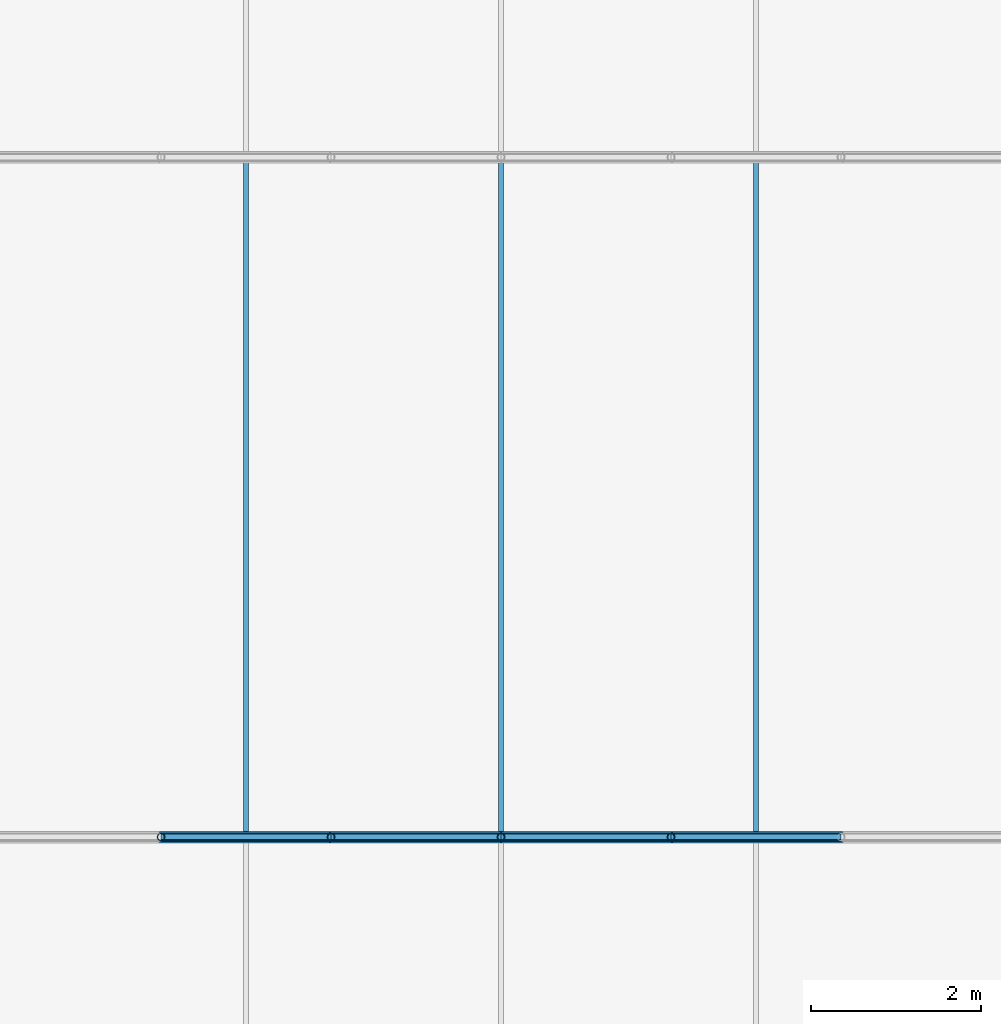
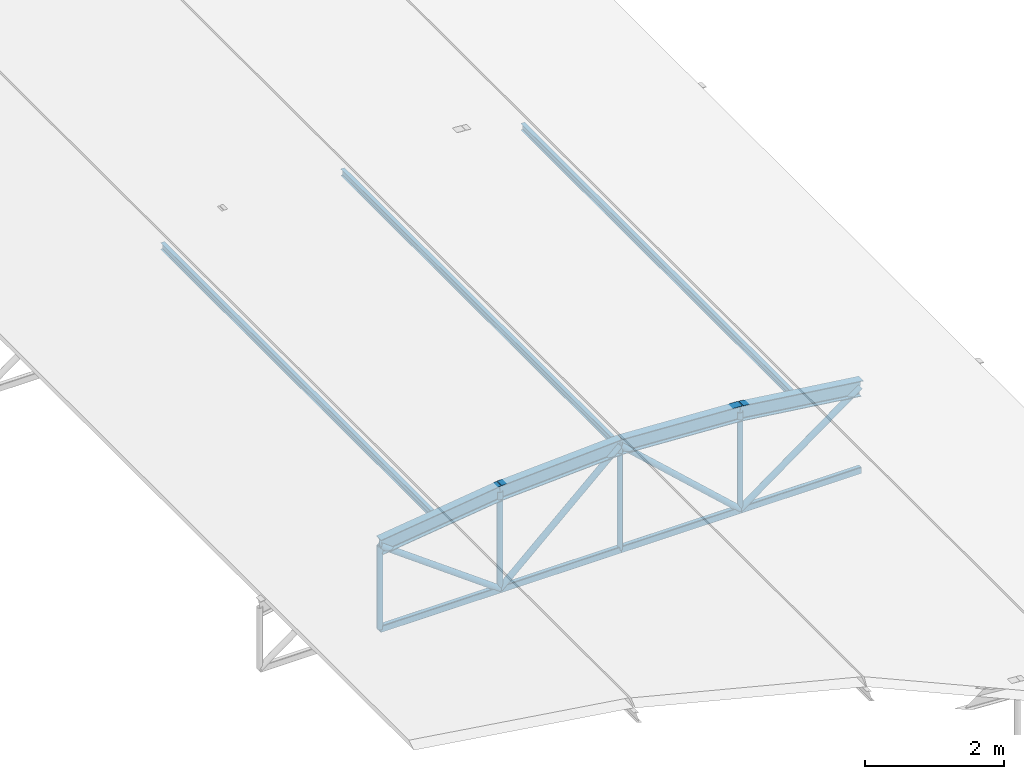
# One storey, part 25 of 54: 19 members.
"""IFC4 building model written with IfcOpenShell, lengths in metres."""

import ifcopenshell
import ifcopenshell.guid

model = None  # the IFC model being written
_history = None  # IfcOwnerHistory: only IFC2X3 demands one
_inside = {}  # id of a spatial element -> (the spatial element, [elements in it])
_under = {}  # id of a project, library or spatial element -> (it, [spatial elements below it])
_declared = {}  # id of a project -> (the project, [libraries it declares])
_typed = {}  # id of a type object -> (the type object, [elements of that type])
_made_of = {}  # id of a material, layer set ... -> (it, [elements and type objects made of it])


def new_model(schema):
    """Start an empty IFC model of exactly this schema.

    Asked for "IFC4X3", IfcOpenShell would pick the latest addendum, in which some entities
    have other attributes; the version numbers below select the first issue.
    IFC2X3 requires an IfcOwnerHistory on every rooted entity: one is made here for all.
    """
    global model, _history
    if schema == "IFC4X3":
        model = ifcopenshell.file(schema_version=(4, 3, 0, 0))
    else:
        model = ifcopenshell.file(schema=schema)
    _inside.clear()
    _under.clear()
    _declared.clear()
    _typed.clear()
    _made_of.clear()
    _history = None
    if model.schema == "IFC2X3":
        org = make("IfcOrganization", Name="unknown")
        user = make(
            "IfcPersonAndOrganization",
            ThePerson=make("IfcPerson", FamilyName="unknown"),
            TheOrganization=org,
        )
        app = make(
            "IfcApplication",
            ApplicationDeveloper=org,
            Version="unknown",
            ApplicationFullName="unknown",
            ApplicationIdentifier="unknown",
        )
        _history = make(
            "IfcOwnerHistory",
            OwningUser=user,
            OwningApplication=app,
            ChangeAction="ADDED",
            CreationDate=0,
        )
    return model


def make(cls, **values):
    """One entity of the class cls with the attributes given. An attribute that is None is left unset."""
    return model.create_entity(
        cls, **{name: value for name, value in values.items() if value is not None}
    )


def rooted(cls, **values):
    """An entity with a GlobalId (a new one), such as an element, a storey or a relation."""
    return make(cls, GlobalId=ifcopenshell.guid.new(), OwnerHistory=_history, **values)


def si_unit(unit_type, name, prefix=None):
    """IfcSIUnit, for example si_unit("LENGTHUNIT", "METRE", prefix="MILLI")."""
    return make("IfcSIUnit", UnitType=unit_type, Prefix=prefix, Name=name)


def derived_unit(unit_type, elements):
    """IfcDerivedUnit: a product of units, each with its exponent."""
    return make(
        "IfcDerivedUnit",
        Elements=[
            make("IfcDerivedUnitElement", Unit=unit, Exponent=power)
            for unit, power in elements
        ],
        UnitType=unit_type,
    )


def assignment(units):
    """IfcUnitAssignment: the units of a project."""
    return None if units is None else make("IfcUnitAssignment", Units=units)


def point(xyz):
    """IfcCartesianPoint."""
    return None if xyz is None else make("IfcCartesianPoint", Coordinates=xyz)


def direction(xyz):
    """IfcDirection."""
    return None if xyz is None else make("IfcDirection", DirectionRatios=xyz)


def frame(location, z_axis=None, x_axis=None):
    """IfcAxis2Placement3D, a coordinate frame: its origin and axes. An axis left out is left unset."""
    return make(
        "IfcAxis2Placement3D",
        Location=point(location),
        Axis=direction(z_axis),
        RefDirection=direction(x_axis),
    )


def frame_2d(location, x_axis=None):
    """IfcAxis2Placement2D, a coordinate frame in the plane: its origin and x axis."""
    return make(
        "IfcAxis2Placement2D", Location=point(location), RefDirection=direction(x_axis)
    )


def origin():
    """The frame at (0, 0, 0) with its axes left unset."""
    return frame((0.0, 0.0, 0.0))


def origin_2d():
    """The frame at (0, 0) in the plane with its x axis left unset."""
    return frame_2d((0.0, 0.0))


def place(relative_to, where):
    """IfcLocalPlacement: puts the frame where relative to a parent placement (None: the world)."""
    return make(
        "IfcLocalPlacement", PlacementRelTo=relative_to, RelativePlacement=where
    )


def context(
    kind, dimensions, precision=None, world=None, true_north=None, identifier=None
):
    """IfcGeometricRepresentationContext, for example the 3D "Model" context."""
    return make(
        "IfcGeometricRepresentationContext",
        ContextIdentifier=identifier,
        ContextType=kind,
        CoordinateSpaceDimension=dimensions,
        Precision=precision,
        WorldCoordinateSystem=world,
        TrueNorth=true_north,
    )


def subcontext(parent, identifier, kind, view, scale=None):
    """IfcGeometricRepresentationSubContext, for example "Body" below "Model"."""
    return make(
        "IfcGeometricRepresentationSubContext",
        ContextIdentifier=identifier,
        ContextType=kind,
        ParentContext=parent,
        TargetScale=scale,
        TargetView=view,
    )


def project(units=None, contexts=None):
    """IfcProject with its units and contexts."""
    return rooted(
        "IfcProject",
        Name="project",
        RepresentationContexts=contexts,
        UnitsInContext=assignment(units),
    )


def spatial(cls, under=None, at=None, **own):
    """A site, building, storey or space (cls), placed at a placement, below another one or the project."""
    s = rooted(cls, ObjectPlacement=at, **own)
    if under is not None:
        _under.setdefault(under.id(), (under, []))[1].append(s)
    return s


def profile(cls, at=None, kind="AREA", **sizes):
    """A parametric profile (cls). Its sizes go by their IFC names, for example OverallWidth=200.0."""
    return make(cls, ProfileType=kind, Position=at, **sizes)


def hollow_rectangle(**sizes):
    """IfcRectangleHollowProfileDef."""
    return profile("IfcRectangleHollowProfileDef", **sizes)


def hollow_circle(**sizes):
    """IfcCircleHollowProfileDef."""
    return profile("IfcCircleHollowProfileDef", **sizes)


def i_section(**sizes):
    """IfcIShapeProfileDef."""
    return profile("IfcIShapeProfileDef", **sizes)


def extrude(swept, where, along, depth):
    """IfcExtrudedAreaSolid: the profile swept, set in the frame where, extruded along a direction by depth."""
    return make(
        "IfcExtrudedAreaSolid",
        SweptArea=swept,
        Position=where,
        ExtrudedDirection=direction(along),
        Depth=depth,
    )


def shape(context_of_items, identifier, shape_type, items):
    """IfcShapeRepresentation: the items that make up one representation, for example the "Body"."""
    return make(
        "IfcShapeRepresentation",
        ContextOfItems=context_of_items,
        RepresentationIdentifier=identifier,
        RepresentationType=shape_type,
        Items=items,
    )


def material(Name=None, Category=None):
    """IfcMaterial."""
    return make("IfcMaterial", Name=Name, Category=Category)


def material_profile(
    of_material, cross_section, Name=None, Category=None, Priority=None
):
    """IfcMaterialProfile: a cross section and its material."""
    return make(
        "IfcMaterialProfile",
        Name=Name,
        Material=of_material,
        Profile=cross_section,
        Priority=Priority,
        Category=Category,
    )


def profile_set(profiles, Name=None, composite=None):
    """IfcMaterialProfileSet."""
    return make(
        "IfcMaterialProfileSet",
        Name=Name,
        MaterialProfiles=profiles,
        CompositeProfile=composite,
    )


def made_of(thing, what):
    """Note that an element or type object is made of a material, layer set ...; save() writes the relation."""
    if what is not None:
        _made_of.setdefault(what.id(), (what, []))[1].append(thing)
    return thing


def type_object(cls, material=None, **own):
    """A type object (cls), such as IfcWallType, which elements share."""
    return made_of(rooted(cls, **own), material)


def element(
    cls,
    number,
    at=None,
    inside=None,
    cuts=None,
    type_object=None,
    material=None,
    context=None,
    identifier="Body",
    shape_type=None,
    held_by="IfcProductDefinitionShape",
    body=None,
    shapes=None,
    **own,
):
    """One element of the class cls, such as IfcWall. Its Tag is "e" and its number.

    at: its placement. inside: the storey or other place that contains it. cuts: it is an
    opening in that element (IfcRelVoidsElement). A single representation is given by context,
    identifier, shape_type and body (its items); several are given by shapes. held_by: the class
    of the entity that holds the representations. save() writes the other relations.
    """
    e = rooted(cls, Tag="e%d" % number, ObjectPlacement=at, **own)
    if body is not None:
        shapes = [shape(context, identifier, shape_type, body)]
    if shapes is not None:
        e.Representation = make(held_by, Representations=shapes)
    if inside is not None:
        _inside.setdefault(inside.id(), (inside, []))[1].append(e)
    if cuts is not None:
        rooted(
            "IfcRelVoidsElement", RelatingBuildingElement=cuts, RelatedOpeningElement=e
        )
    if type_object is not None:
        _typed.setdefault(type_object.id(), (type_object, []))[1].append(e)
    return made_of(e, material)


def aggregate(whole, parts):
    """IfcRelAggregates: a whole, such as a stair, and the parts it consists of."""
    return rooted("IfcRelAggregates", RelatingObject=whole, RelatedObjects=parts)


def save(model, path):
    """Write the relations noted so far, then the file.

    IfcRelAggregates (storeys below a building ...), IfcRelContainedInSpatialStructure (elements
    in a storey), IfcRelDefinesByType, IfcRelAssociatesMaterial and IfcRelDeclares: one each for
    every whole, place, type object, material and project.
    """
    for whole, parts in _under.values():
        aggregate(whole, parts)
    for where, things in _inside.values():
        rooted(
            "IfcRelContainedInSpatialStructure",
            RelatedElements=things,
            RelatingStructure=where,
        )
    for kind, things in _typed.values():
        rooted("IfcRelDefinesByType", RelatedObjects=things, RelatingType=kind)
    for what, things in _made_of.values():
        rooted("IfcRelAssociatesMaterial", RelatedObjects=things, RelatingMaterial=what)
    for by, libraries in _declared.values():
        rooted("IfcRelDeclares", RelatingContext=by, RelatedDefinitions=libraries)
    model.write(path)


model = new_model("IFC4")

# Units and contexts
model_context = context("Model", 3, precision=1e-05, world=origin(), true_north=direction((0.0, 1.0)))
body_context = subcontext(model_context, "Body", "Model", "MODEL_VIEW")
ifc_project = project(units=[si_unit("LENGTHUNIT", "METRE"), si_unit("AREAUNIT", "SQUARE_METRE"), si_unit("VOLUMEUNIT", "CUBIC_METRE"), si_unit("PLANEANGLEUNIT", "RADIAN"), si_unit("MASSUNIT", "GRAM", prefix="KILO"), derived_unit("THERMALTRANSMITTANCEUNIT", [(si_unit("POWERUNIT", "WATT"), 1), (si_unit("LENGTHUNIT", "METRE"), -2), (si_unit("THERMODYNAMICTEMPERATUREUNIT", "KELVIN"), -1)])], contexts=[model_context])

# Site, building, storey
site_placement = place(None, origin())
site = spatial("IfcSite", under=ifc_project, at=site_placement, CompositionType="ELEMENT")
building_placement = place(site_placement, origin())
building = spatial("IfcBuilding", under=site, at=building_placement, Name="Keldorne Ridge Multi-Sports Centre", CompositionType="ELEMENT")
storey_placement = place(building_placement, frame((0.0, 0.0, 22.199951171875)))
storey = spatial("IfcBuildingStorey", under=building, at=storey_placement, Name="ROOF", CompositionType="ELEMENT", Elevation=22.199951171875)

# Members
ifc_material = material(Name="Steel S355", Category="steel")
ifc_material_profile_1 = material_profile(ifc_material, i_section(OverallWidth=0.06396484375, OverallDepth=0.1201171875, WebThickness=0.00439453125, FlangeThickness=0.00634765625, FilletRadius=0.007080078125, at=origin_2d()), Name="IPE 120")
ifc_profile_set_1 = profile_set([ifc_material_profile_1], Name="Steel S355")
member_type_1 = type_object("IfcMemberType", Name="MEM-PR-05", PredefinedType="PURLIN", material=ifc_profile_set_1)
for number, where, z_axis, x_axis, name in (
    (1, (87.0, 46.0, -12.179931640625), (0.0, 1.0, 0.0), (-1.0, 0.0, 0.0), "Public Passage canopy purlin 87.6"),
    (2, (90.0, 46.0, -11.929931640625), (0.0, 1.0, 0.0), (-1.0, 0.0, 0.0), "Public Passage canopy purlin 90.6"),
    (3, (93.0, 46.0, -12.179931640625), (0.0, 1.0, 0.0), (-1.0, 0.0, 0.0), "Public Passage canopy purlin 93.6"),
):
    element("IfcMember", number, at=place(storey_placement, frame(where, z_axis=z_axis, x_axis=x_axis)), inside=storey, type_object=member_type_1, Name=name, PredefinedType="PURLIN", context=body_context, shape_type="SweptSolid", body=[
        extrude(i_section(OverallWidth=0.06396484375, OverallDepth=0.1201171875, WebThickness=0.00439453125, FlangeThickness=0.00634765625, FilletRadius=0.007080078125, at=origin_2d()), origin(), (0.0, 0.0, 1.0), 8.0),
    ])
ifc_material_profile_2 = material_profile(ifc_material, i_section(OverallWidth=0.135009765625, OverallDepth=0.27001953125, WebThickness=0.006591796875, FlangeThickness=0.01025390625, FilletRadius=0.014892578125, at=origin_2d()), Name="IPE 270")
ifc_profile_set_2 = profile_set([ifc_material_profile_2], Name="Steel S355")
member_type_2 = type_object("IfcMemberType", Name="MEM-RF-02", PredefinedType="RAFTER", material=ifc_profile_set_2)
member_1_placement = place(storey_placement, frame((86.0, 46.0, -12.260009765625), z_axis=(0.991654998325, 0.0, 0.128919991848), x_axis=(0.0, 1.0, 0.0)))
element("IfcMember", 4, at=member_1_placement, inside=storey, type_object=member_type_2, Name="Public Passage bowstring arch top chord 06.2", PredefinedType="RAFTER", context=body_context, shape_type="SweptSolid", body=[
    extrude(i_section(OverallWidth=0.135009765625, OverallDepth=0.27001953125, WebThickness=0.006591796875, FlangeThickness=0.01025390625, FilletRadius=0.014892578125, at=origin_2d()), origin(), (0.0, 0.0, 1.0), 2.016845703125),
])
for number, where, z_axis, x_axis, name in (
    (5, (88.0, 46.0, -12.0), (0.998487980686, 0.0, 0.054970468663), (0.0, 1.0, 0.0), "Public Passage bowstring arch top chord 06.3"),
    (6, (90.0, 46.0, -11.889892578125), (0.998487980686, 0.0, -0.054970468663), (0.0, 1.0, 0.0), "Public Passage bowstring arch top chord 06.4"),
):
    element("IfcMember", number, at=place(storey_placement, frame(where, z_axis=z_axis, x_axis=x_axis)), inside=storey, type_object=member_type_2, Name=name, PredefinedType="RAFTER", context=body_context, shape_type="SweptSolid", body=[
        extrude(i_section(OverallWidth=0.135009765625, OverallDepth=0.27001953125, WebThickness=0.006591796875, FlangeThickness=0.01025390625, FilletRadius=0.014892578125, at=origin_2d()), origin(), (0.0, 0.0, 1.0), 2.0029296875),
    ])
member_2_placement = place(storey_placement, frame((92.0, 46.0, -12.0), z_axis=(0.991654998325, 0.0, -0.128919991848), x_axis=(0.0, 1.0, 0.0)))
element("IfcMember", 7, at=member_2_placement, inside=storey, type_object=member_type_2, Name="Public Passage bowstring arch top chord 06.5", PredefinedType="RAFTER", context=body_context, shape_type="SweptSolid", body=[
    extrude(i_section(OverallWidth=0.135009765625, OverallDepth=0.27001953125, WebThickness=0.006591796875, FlangeThickness=0.01025390625, FilletRadius=0.014892578125, at=origin_2d()), origin(), (0.0, 0.0, 1.0), 2.016845703125),
])
ifc_material_profile_3 = material_profile(ifc_material, hollow_rectangle(XDim=0.080078125, YDim=0.1201171875, WallThickness=0.008056640625, InnerFilletRadius=0.008056640625, OuterFilletRadius=0.01611328125, at=origin_2d()), Name="RHS 120x80x8")
ifc_profile_set_3 = profile_set([ifc_material_profile_3], Name="Steel S355")
member_type_3 = type_object("IfcMemberType", Name="MEM-TC-07", PredefinedType="CHORD", material=ifc_profile_set_3)
for number, where, z_axis, x_axis, name in (
    (8, (86.0, 46.0, -13.719970703125), (1.0, 0.0, 0.0), (0.0, 1.0, 0.0), "Public Passage bowstring tie chord 06.2"),
    (9, (88.0, 46.0, -13.719970703125), (1.0, 0.0, 0.0), (0.0, 1.0, 0.0), "Public Passage bowstring tie chord 06.3"),
    (10, (90.0, 46.0, -13.719970703125), (1.0, 0.0, 0.0), (0.0, 1.0, 0.0), "Public Passage bowstring tie chord 06.4"),
    (11, (92.0, 46.0, -13.719970703125), (1.0, 0.0, 0.0), (0.0, 1.0, 0.0), "Public Passage bowstring tie chord 06.5"),
):
    element("IfcMember", number, at=place(storey_placement, frame(where, z_axis=z_axis, x_axis=x_axis)), inside=storey, type_object=member_type_3, Name=name, PredefinedType="CHORD", context=body_context, shape_type="SweptSolid", body=[
        extrude(hollow_rectangle(XDim=0.080078125, YDim=0.1201171875, WallThickness=0.008056640625, InnerFilletRadius=0.008056640625, OuterFilletRadius=0.01611328125, at=origin_2d()), origin(), (0.0, 0.0, 1.0), 2.0),
    ])
ifc_material_profile_4 = material_profile(ifc_material, hollow_circle(Radius=0.05078125, WallThickness=0.00634765625, at=origin_2d()), Name="CHS 101.6x6.3")
ifc_profile_set_4 = profile_set([ifc_material_profile_4], Name="Steel S355")
member_type_4 = type_object("IfcMemberType", Name="MEM-TD-05", PredefinedType="BRACE", material=ifc_profile_set_4)
member_3_placement = place(storey_placement, frame((86.0, 46.0, -12.260009765625), z_axis=(0.8076945033, 0.0, -0.589601212125), x_axis=(0.0, 1.0, 0.0)))
element("IfcMember", 12, at=member_3_placement, inside=storey, type_object=member_type_4, Name="Public Passage bowstring web diagonal 06.2", PredefinedType="BRACE", context=body_context, shape_type="SweptSolid", body=[
    extrude(hollow_circle(Radius=0.05078125, WallThickness=0.00634765625, at=origin_2d()), origin(), (0.0, 0.0, 1.0), 2.47607421875),
])
for number, where, z_axis, x_axis, name in (
    (13, (88.0, 46.0, -13.719970703125), (0.737751969913, 0.0, 0.675071870907), (0.0, 1.0, 0.0), "Public Passage bowstring web diagonal 06.3"),
    (14, (90.0, 46.0, -11.889892578125), (0.737751969913, 0.0, -0.675071870907), (0.0, 1.0, 0.0), "Public Passage bowstring web diagonal 06.4"),
):
    element("IfcMember", number, at=place(storey_placement, frame(where, z_axis=z_axis, x_axis=x_axis)), inside=storey, type_object=member_type_4, Name=name, PredefinedType="BRACE", context=body_context, shape_type="SweptSolid", body=[
        extrude(hollow_circle(Radius=0.05078125, WallThickness=0.00634765625, at=origin_2d()), origin(), (0.0, 0.0, 1.0), 2.7109375),
    ])
member_4_placement = place(storey_placement, frame((92.0, 46.0, -13.719970703125), z_axis=(0.8076945033, 0.0, 0.589601212125), x_axis=(0.0, 1.0, 0.0)))
element("IfcMember", 15, at=member_4_placement, inside=storey, type_object=member_type_4, Name="Public Passage bowstring web diagonal 06.5", PredefinedType="BRACE", context=body_context, shape_type="SweptSolid", body=[
    extrude(hollow_circle(Radius=0.05078125, WallThickness=0.00634765625, at=origin_2d()), origin(), (0.0, 0.0, 1.0), 2.47607421875),
])
ifc_material_profile_5 = material_profile(ifc_material, hollow_circle(Radius=0.04443359375, WallThickness=0.0048828125, at=origin_2d()), Name="CHS 88.9x5")
ifc_profile_set_5 = profile_set([ifc_material_profile_5], Name="Steel S355")
member_type_5 = type_object("IfcMemberType", Name="MEM-TV-07", PredefinedType="STRUT", material=ifc_profile_set_5)
member_5_placement = place(storey_placement, frame((86.0, 46.0, -13.719970703125), z_axis=(0.0, 0.0, 1.0), x_axis=(1.0, 0.0, 0.0)))
element("IfcMember", 16, at=member_5_placement, inside=storey, type_object=member_type_5, Name="Public Passage bowstring hanger 06.2", PredefinedType="STRUT", context=body_context, shape_type="SweptSolid", body=[
    extrude(hollow_circle(Radius=0.04443359375, WallThickness=0.0048828125, at=origin_2d()), origin(), (0.0, 0.0, 1.0), 1.4599609375),
])
member_6_placement = place(storey_placement, frame((88.0, 46.0, -13.719970703125), z_axis=(0.0, 0.0, 1.0), x_axis=(1.0, 0.0, 0.0)))
element("IfcMember", 17, at=member_6_placement, inside=storey, type_object=member_type_5, Name="Public Passage bowstring hanger 06.3", PredefinedType="STRUT", context=body_context, shape_type="SweptSolid", body=[
    extrude(hollow_circle(Radius=0.04443359375, WallThickness=0.0048828125, at=origin_2d()), origin(), (0.0, 0.0, 1.0), 1.719970703125),
])
member_7_placement = place(storey_placement, frame((90.0, 46.0, -13.719970703125), z_axis=(0.0, 0.0, 1.0), x_axis=(1.0, 0.0, 0.0)))
element("IfcMember", 18, at=member_7_placement, inside=storey, type_object=member_type_5, Name="Public Passage bowstring hanger 06.4", PredefinedType="STRUT", context=body_context, shape_type="SweptSolid", body=[
    extrude(hollow_circle(Radius=0.04443359375, WallThickness=0.0048828125, at=origin_2d()), origin(), (0.0, 0.0, 1.0), 1.830078125),
])
member_8_placement = place(storey_placement, frame((92.0, 46.0, -13.719970703125), z_axis=(0.0, 0.0, 1.0), x_axis=(1.0, 0.0, 0.0)))
element("IfcMember", 19, at=member_8_placement, inside=storey, type_object=member_type_5, Name="Public Passage bowstring hanger 06.5", PredefinedType="STRUT", context=body_context, shape_type="SweptSolid", body=[
    extrude(hollow_circle(Radius=0.04443359375, WallThickness=0.0048828125, at=origin_2d()), origin(), (0.0, 0.0, 1.0), 1.719970703125),
])

save(model, "model.ifc")
